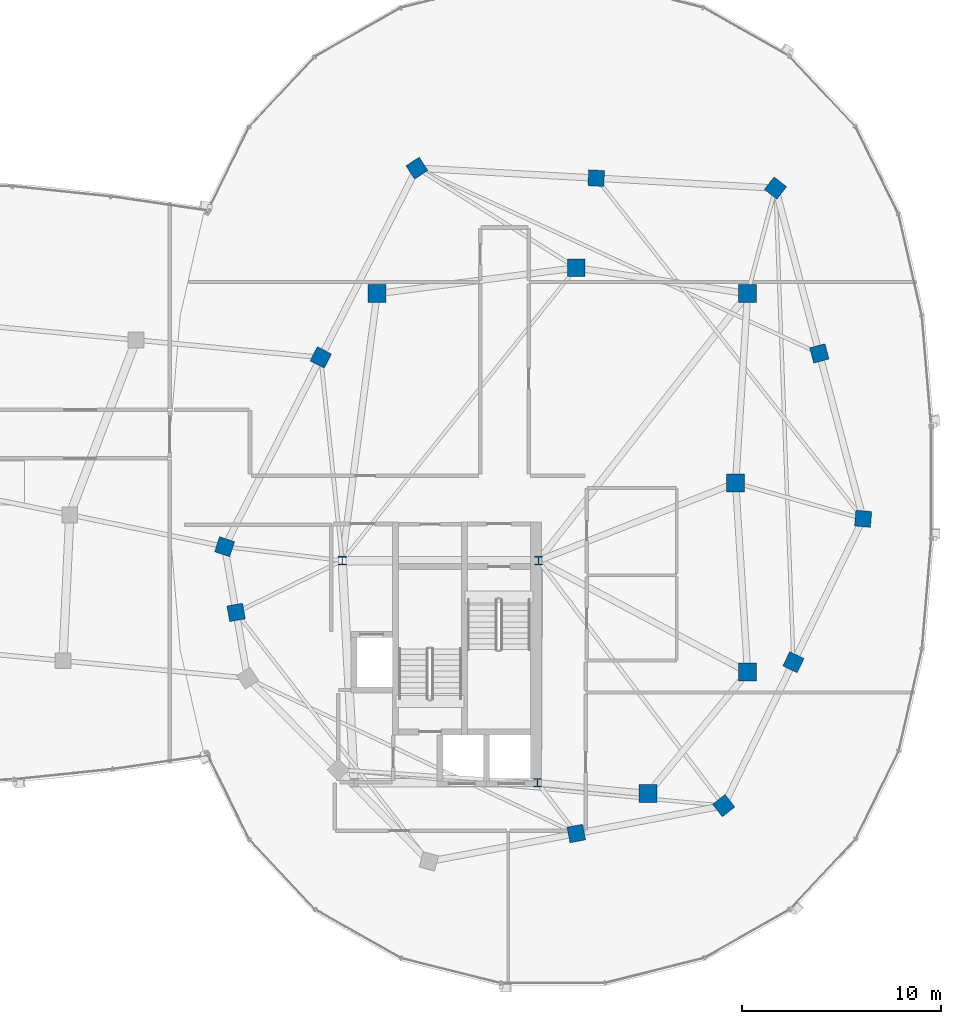
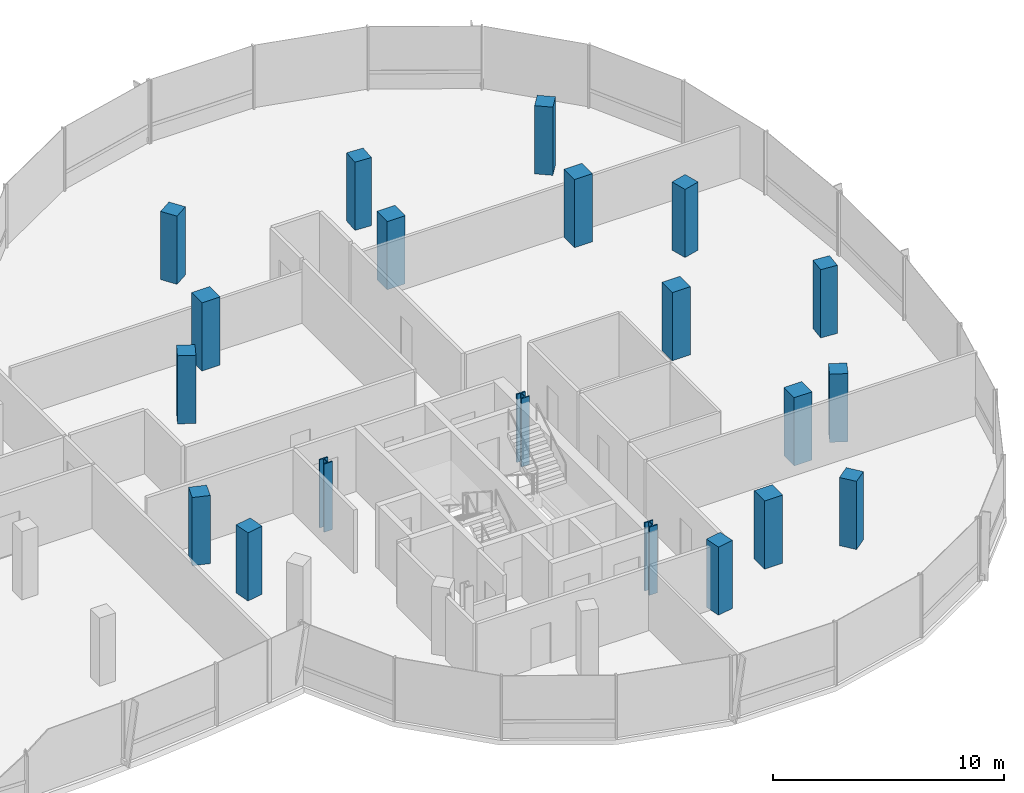
# One storey, part 2 of 25: 20 columns.
"""IFC4 building model written with IfcOpenShell, lengths in metres."""

from ifc_helpers import new_model, si_unit, direction, frame, origin, origin_2d, place, context, subcontext, project, spatial, rectangle, i_section, extrude, material, material_profile, profile_set, type_object, element, save


model = new_model("IFC4")

# Units and contexts
model_context = context("Model", 3, precision=1e-05, world=origin(), true_north=direction((0.0, 1.0)))
body_context = subcontext(model_context, "Body", "Model", "MODEL_VIEW")
ifc_project = project(units=[si_unit("LENGTHUNIT", "METRE"), si_unit("AREAUNIT", "SQUARE_METRE"), si_unit("VOLUMEUNIT", "CUBIC_METRE"), si_unit("PLANEANGLEUNIT", "RADIAN"), si_unit("MASSUNIT", "GRAM", prefix="KILO"), si_unit("THERMODYNAMICTEMPERATUREUNIT", "KELVIN"), si_unit("POWERUNIT", "WATT")], contexts=[model_context])

# Site, building, storey
site_placement = place(None, origin())
site = spatial("IfcSite", under=ifc_project, at=site_placement, CompositionType="ELEMENT")
building_placement = place(site_placement, origin())
building = spatial("IfcBuilding", under=site, at=building_placement, Name="Cundina Bronze Exchange", CompositionType="ELEMENT")
storey_placement = place(building_placement, frame((0.0, 0.0, 254.0)))
storey = spatial("IfcBuildingStorey", under=building, at=storey_placement, Name="L67", CompositionType="ELEMENT", Elevation=254.0)

# Columns
ifc_material_1 = material(Name="Concrete C50/60", Category="concrete")
ifc_material_profile_1 = material_profile(ifc_material_1, rectangle(XDim=0.800048828125, YDim=0.800048828125, at=origin_2d()), Name="RC800X800", Category="concrete")
ifc_profile_set_1 = profile_set([ifc_material_profile_1], Name="Concrete C50/60")
column_type_1 = type_object("IfcColumnType", Name="COL-BRG-800", PredefinedType="COLUMN", material=ifc_profile_set_1)
for number, where, z_axis, x_axis, name in (
    (1, (15.550048828125, -3.199951171875, 0.0), (0.0, 0.0, 1.0), (-0.315152163383, -0.949041155016, 0.0), "L67 E Perimeter Column 00"),
    (2, (16.125, -6.5, 0.0), (0.0, 0.0, 1.0), (0.171585221787, -0.985169280715, 0.0), "L67 E Perimeter Column 01"),
    (3, (33.199951171875, -17.60009765625, 0.0), (0.0, 0.0, 1.0), (0.98258037664, 0.185838110843, 0.0), "L67 E Perimeter Column 05"),
    (4, (40.60009765625, -16.199951171875, 0.0), (0.0, 0.0, 1.0), (0.785100778485, 0.619368038909, 0.0), "L67 E Perimeter Column 06"),
    (5, (44.10009765625, -9.0, 0.0), (0.0, 0.0, 1.0), (0.437115766651, 0.899405251566, 0.0), "L67 E Perimeter Column 07"),
    (6, (47.60009765625, -1.800048828125, 0.0), (0.0, 0.0, 1.0), (0.083503921245, 0.996507448611, 0.0), "L67 E Perimeter Column 08"),
    (7, (45.39990234375, 6.5, 0.0), (0.0, 0.0, 1.0), (-0.256289373133, 0.966600102017, 0.0), "L67 E Perimeter Column 09"),
    (8, (43.199951171875, 14.800048828125, 0.0), (0.0, 0.0, 1.0), (-0.786288432137, 0.61785961309, 0.0), "L67 E Perimeter Column 10"),
    (9, (34.199951171875, 15.300048828125, 0.0), (0.0, 0.0, 1.0), (-0.998460188734, 0.055472980025, 0.0), "L67 E Perimeter Column 11"),
    (10, (25.199951171875, 15.800048828125, 0.0), (0.0, 0.0, 1.0), (-0.838099763533, -0.545516989988, 0.0), "L67 E Perimeter Column 12"),
    (11, (20.375, 6.300048828125, 0.0), (0.0, 0.0, 1.0), (-0.452901591366, -0.891560513111, 0.0), "L67 E Perimeter Column 13"),
):
    element("IfcColumn", number, at=place(storey_placement, frame(where, z_axis=z_axis, x_axis=x_axis)), inside=storey, type_object=column_type_1, Name=name, PredefinedType="COLUMN", context=body_context, shape_type="SweptSolid", body=[
        extrude(rectangle(XDim=0.800048828125, YDim=0.800048828125, at=origin_2d()), origin(), (0.0, 0.0, 1.0), 3.60009765625),
    ])
ifc_material_2 = material(Name="Steel ASTM A992 Grade 50", Category="steel")
ifc_material_profile_2 = material_profile(ifc_material_2, i_section(OverallWidth=0.416015625, OverallDepth=0.446044921875, WebThickness=0.0390625, FlangeThickness=0.062744140625, FilletRadius=0.01806640625, at=origin_2d()), Name="W14X342", Category="steel")
ifc_profile_set_2 = profile_set([ifc_material_profile_2], Name="Steel ASTM A992 Grade 50")
column_type_2 = type_object("IfcColumnType", Name="COL-STL-W14B", PredefinedType="COLUMN", material=ifc_profile_set_2)
for number, where, z_axis, x_axis, name in (
    (12, (31.300048828125, -3.89990234375, 0.0), (0.0, 0.0, 1.0), (1.0, 0.0, 0.0), "L67 Core Anchor Column E1"),
    (13, (21.449951171875, -3.89990234375, 0.0), (0.0, 0.0, 1.0), (1.0, 0.0, 0.0), "L67 Core Anchor Column E2"),
    (14, (31.25, -15.050048828125, 0.0), (0.0, 0.0, 1.0), (1.0, 0.0, 0.0), "L67 Core Anchor Column E4"),
):
    element("IfcColumn", number, at=place(storey_placement, frame(where, z_axis=z_axis, x_axis=x_axis)), inside=storey, type_object=column_type_2, Name=name, PredefinedType="COLUMN", context=body_context, shape_type="SweptSolid", body=[
        extrude(i_section(OverallWidth=0.416015625, OverallDepth=0.446044921875, WebThickness=0.0390625, FlangeThickness=0.062744140625, FilletRadius=0.01806640625, at=origin_2d()), origin(), (0.0, 0.0, 1.0), 3.60009765625),
    ])
ifc_material_profile_3 = material_profile(ifc_material_1, rectangle(XDim=0.89990234375, YDim=0.89990234375, at=origin_2d()), Name="RC900X900", Category="concrete")
ifc_profile_set_3 = profile_set([ifc_material_profile_3], Name="Concrete C50/60")
column_type_3 = type_object("IfcColumnType", Name="COL-Z4-900", PredefinedType="COLUMN", material=ifc_profile_set_3)
for number, where, z_axis, x_axis, name in (
    (15, (41.199951171875, 0.0, 0.0), (0.0, 0.0, 1.0), (1.0, 0.0, 0.0), "L67 E Inner Ring Column 1"),
    (16, (41.800048828125, -9.5, 0.0), (0.0, 0.0, 1.0), (1.0, 0.0, 0.0), "L67 E Inner Ring Column 2"),
    (17, (36.800048828125, -15.60009765625, 0.0), (0.0, 0.0, 1.0), (1.0, 0.0, 0.0), "L67 E Inner Ring Column 3"),
    (18, (41.800048828125, 9.5, 0.0), (0.0, 0.0, 1.0), (1.0, 0.0, 0.0), "L67 E Inner Ring Column 4"),
    (19, (33.199951171875, 10.800048828125, 0.0), (0.0, 0.0, 1.0), (1.0, 0.0, 0.0), "L67 E Inner Ring Column 5"),
    (20, (23.199951171875, 9.5, 0.0), (0.0, 0.0, 1.0), (1.0, 0.0, 0.0), "L67 E Inner Ring Column 6"),
):
    element("IfcColumn", number, at=place(storey_placement, frame(where, z_axis=z_axis, x_axis=x_axis)), inside=storey, type_object=column_type_3, Name=name, PredefinedType="COLUMN", context=body_context, shape_type="SweptSolid", body=[
        extrude(rectangle(XDim=0.89990234375, YDim=0.89990234375, at=origin_2d()), origin(), (0.0, 0.0, 1.0), 3.60009765625),
    ])

save(model, "model.ifc")
